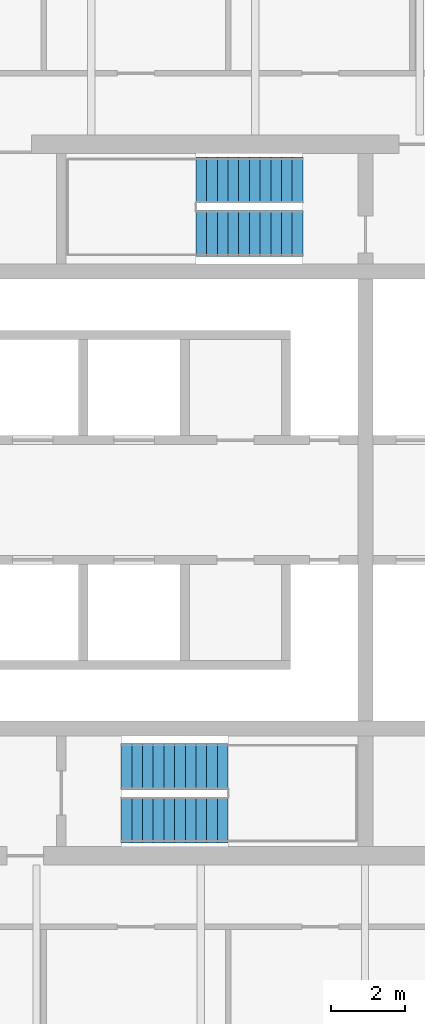
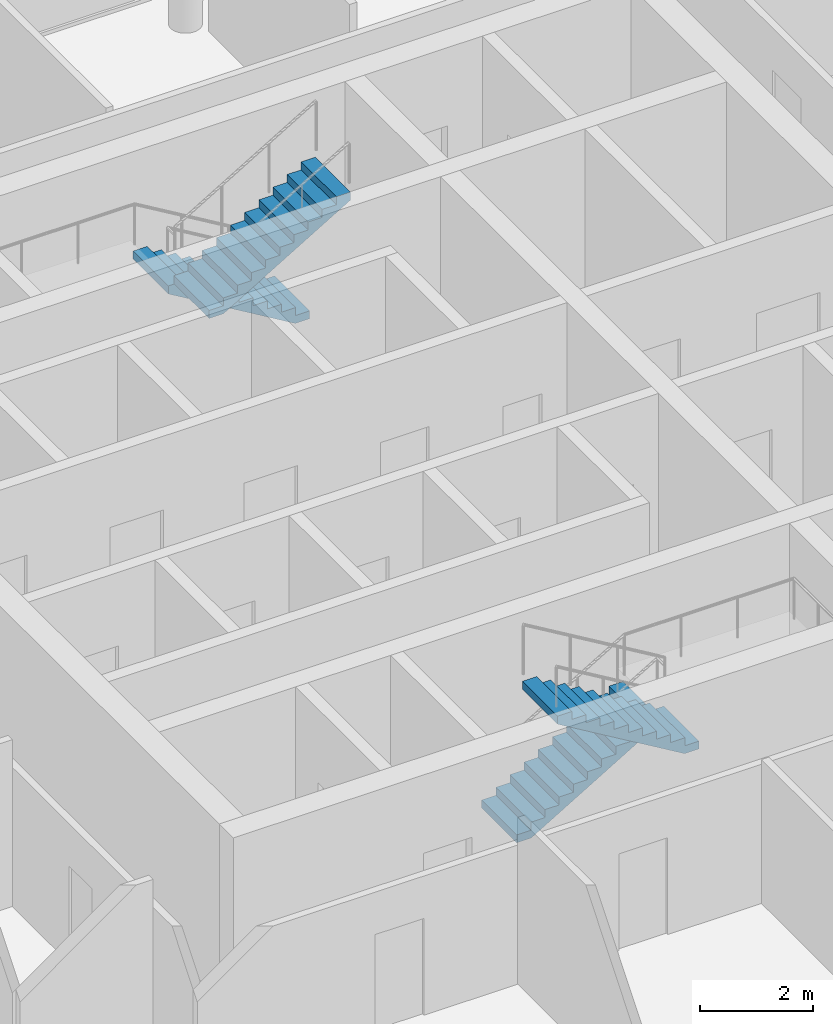
# One storey, part 6 of 7: 4 stair flights, 2 elements without a shape of their own.
"""IFC4 building model written with IfcOpenShell, lengths in metres."""

from ifc_helpers import new_model, si_unit, direction, frame, origin, place, context, subcontext, project, spatial, polyline, outline, extrude, material, type_object, element, aggregate, save


model = new_model("IFC4")

# Units and contexts
model_context = context("Model", 3, precision=1e-05, world=origin(), true_north=direction((0.0, 1.0)))
body_context = subcontext(model_context, "Body", "Model", "MODEL_VIEW")
ifc_project = project(units=[si_unit("LENGTHUNIT", "METRE"), si_unit("AREAUNIT", "SQUARE_METRE"), si_unit("VOLUMEUNIT", "CUBIC_METRE"), si_unit("PLANEANGLEUNIT", "RADIAN"), si_unit("MASSUNIT", "GRAM", prefix="KILO")], contexts=[model_context])

# Site, building, storey
site_placement = place(None, origin())
site = spatial("IfcSite", under=ifc_project, at=site_placement, CompositionType="ELEMENT")
building_placement = place(site_placement, origin())
building = spatial("IfcBuilding", under=site, at=building_placement, Name="Ostroluk Exchange", CompositionType="ELEMENT")
storey_placement = place(building_placement, frame((0.0, 0.0, 237.60009765625)))
storey = spatial("IfcBuildingStorey", under=building, at=storey_placement, Name="L61", CompositionType="ELEMENT", Elevation=237.60009765625)

# Stair, stair flights
ifc_material_1 = material(Name="Concrete C30/37", Category="concrete")
stair_type = type_object("IfcStairType", Name="Exit stair half turn 3800", PredefinedType="HALF_TURN_STAIR", material=ifc_material_1)
stair_1_placement = place(storey_placement, origin())
stair_1 = element("IfcStair", 1, at=stair_1_placement, inside=storey, type_object=stair_type, Name="Stair T1-S1 L61", PredefinedType="HALF_TURN_STAIR")
ifc_material_2 = material(Name="Concrete C30/37", Category="concrete")
stair_flight_type = type_object("IfcStairFlightType", Name="Stair flight 11 risers 172.7 x 290", PredefinedType="STRAIGHT", material=ifc_material_2)
stair_flight_1_placement = place(storey_placement, frame((42.10009765625, 38.77490234375, 0.0), z_axis=(0.0, 0.0, 1.0), x_axis=(1.0, 0.0, 0.0)))
stair_flight_1 = element("IfcStairFlight", 2, at=stair_flight_1_placement, type_object=stair_flight_type, Name="T1-S1 flight 1", NumberOfRisers=11, NumberOfTreads=10, PredefinedType="STRAIGHT", RiserHeight=0.172727273, TreadLength=0.29, context=body_context, shape_type="SweptSolid", body=[
    extrude(outline(polyline([(0.0, 0.0), (0.0, 0.172607421875), (0.2900390625, 0.172607421875), (0.2900390625, 0.345458984375), (0.580078125, 0.345458984375), (0.580078125, 0.51806640625), (0.8701171875, 0.51806640625), (0.8701171875, 0.69091796875), (1.159912109375, 0.69091796875), (1.159912109375, 0.863525390625), (1.449951171875, 0.863525390625), (1.449951171875, 1.036376953125), (1.739990234375, 1.036376953125), (1.739990234375, 1.208984375), (2.030029296875, 1.208984375), (2.030029296875, 1.3818359375), (2.320068359375, 1.3818359375), (2.320068359375, 1.554443359375), (2.610107421875, 1.554443359375), (2.610107421875, 1.727294921875), (2.89990234375, 1.727294921875), (2.89990234375, 1.89990234375), (2.89990234375, 1.552734375), (0.29296875, 0.0), (0.0, 0.0)])), frame((0.0, 0.625, 0.0), z_axis=(0.0, -1.0, 0.0), x_axis=(1.0, 0.0, 0.0)), (0.0, 0.0, 1.0), 1.25),
])
stair_flight_2_placement = place(storey_placement, frame((45.0, 37.324951171875, 1.89990234375), z_axis=(0.0, 0.0, 1.0), x_axis=(-1.0, 0.0, 0.0)))
stair_flight_2 = element("IfcStairFlight", 3, at=stair_flight_2_placement, type_object=stair_flight_type, Name="T1-S1 flight 2", NumberOfRisers=11, NumberOfTreads=10, PredefinedType="STRAIGHT", RiserHeight=0.172727273, TreadLength=0.29, context=body_context, shape_type="SweptSolid", body=[
    extrude(outline(polyline([(0.0, 0.0), (0.0, 0.172607421875), (0.2900390625, 0.172607421875), (0.2900390625, 0.345458984375), (0.580078125, 0.345458984375), (0.580078125, 0.51806640625), (0.8701171875, 0.51806640625), (0.8701171875, 0.69091796875), (1.159912109375, 0.69091796875), (1.159912109375, 0.863525390625), (1.449951171875, 0.863525390625), (1.449951171875, 1.036376953125), (1.739990234375, 1.036376953125), (1.739990234375, 1.208984375), (2.030029296875, 1.208984375), (2.030029296875, 1.3818359375), (2.320068359375, 1.3818359375), (2.320068359375, 1.554443359375), (2.610107421875, 1.554443359375), (2.610107421875, 1.727294921875), (2.89990234375, 1.727294921875), (2.89990234375, 1.89990234375), (2.89990234375, 1.552734375), (0.29296875, 0.0), (0.0, 0.0)])), frame((0.0, 0.625, 0.0), z_axis=(0.0, -1.0, 0.0), x_axis=(1.0, 0.0, 0.0)), (0.0, 0.0, 1.0), 1.25),
])
aggregate(stair_1, [stair_flight_1, stair_flight_2])

stair_2_placement = place(storey_placement, origin())
stair_2 = element("IfcStair", 4, at=stair_2_placement, inside=storey, type_object=stair_type, Name="Stair T1-S2 L61", PredefinedType="HALF_TURN_STAIR")
stair_flight_3_placement = place(storey_placement, frame((47.030029296875, 54.675048828125, 0.0), z_axis=(0.0, 0.0, 1.0), x_axis=(-1.0, 0.0, 0.0)))
stair_flight_3 = element("IfcStairFlight", 5, at=stair_flight_3_placement, type_object=stair_flight_type, Name="T1-S2 flight 1", NumberOfRisers=11, NumberOfTreads=10, PredefinedType="STRAIGHT", RiserHeight=0.172727273, TreadLength=0.29, context=body_context, shape_type="SweptSolid", body=[
    extrude(outline(polyline([(0.0, 0.0), (0.0, 0.172607421875), (0.2900390625, 0.172607421875), (0.2900390625, 0.345458984375), (0.580078125, 0.345458984375), (0.580078125, 0.51806640625), (0.8701171875, 0.51806640625), (0.8701171875, 0.69091796875), (1.159912109375, 0.69091796875), (1.159912109375, 0.863525390625), (1.449951171875, 0.863525390625), (1.449951171875, 1.036376953125), (1.739990234375, 1.036376953125), (1.739990234375, 1.208984375), (2.030029296875, 1.208984375), (2.030029296875, 1.3818359375), (2.320068359375, 1.3818359375), (2.320068359375, 1.554443359375), (2.610107421875, 1.554443359375), (2.610107421875, 1.727294921875), (2.89990234375, 1.727294921875), (2.89990234375, 1.89990234375), (2.89990234375, 1.552734375), (0.29296875, 0.0), (0.0, 0.0)])), frame((0.0, 0.625, 0.0), z_axis=(0.0, -1.0, 0.0), x_axis=(1.0, 0.0, 0.0)), (0.0, 0.0, 1.0), 1.25),
])
stair_flight_4_placement = place(storey_placement, frame((44.1298828125, 53.22509765625, 1.89990234375), z_axis=(0.0, 0.0, 1.0), x_axis=(1.0, 0.0, 0.0)))
stair_flight_4 = element("IfcStairFlight", 6, at=stair_flight_4_placement, type_object=stair_flight_type, Name="T1-S2 flight 2", NumberOfRisers=11, NumberOfTreads=10, PredefinedType="STRAIGHT", RiserHeight=0.172727273, TreadLength=0.29, context=body_context, shape_type="SweptSolid", body=[
    extrude(outline(polyline([(0.0, 0.0), (0.0, 0.172607421875), (0.2900390625, 0.172607421875), (0.2900390625, 0.345458984375), (0.580078125, 0.345458984375), (0.580078125, 0.51806640625), (0.8701171875, 0.51806640625), (0.8701171875, 0.69091796875), (1.159912109375, 0.69091796875), (1.159912109375, 0.863525390625), (1.449951171875, 0.863525390625), (1.449951171875, 1.036376953125), (1.739990234375, 1.036376953125), (1.739990234375, 1.208984375), (2.030029296875, 1.208984375), (2.030029296875, 1.3818359375), (2.320068359375, 1.3818359375), (2.320068359375, 1.554443359375), (2.610107421875, 1.554443359375), (2.610107421875, 1.727294921875), (2.89990234375, 1.727294921875), (2.89990234375, 1.89990234375), (2.89990234375, 1.552734375), (0.29296875, 0.0), (0.0, 0.0)])), frame((0.0, 0.625, 0.0), z_axis=(0.0, -1.0, 0.0), x_axis=(1.0, 0.0, 0.0)), (0.0, 0.0, 1.0), 1.25),
])
aggregate(stair_2, [stair_flight_3, stair_flight_4])

save(model, "model.ifc")
